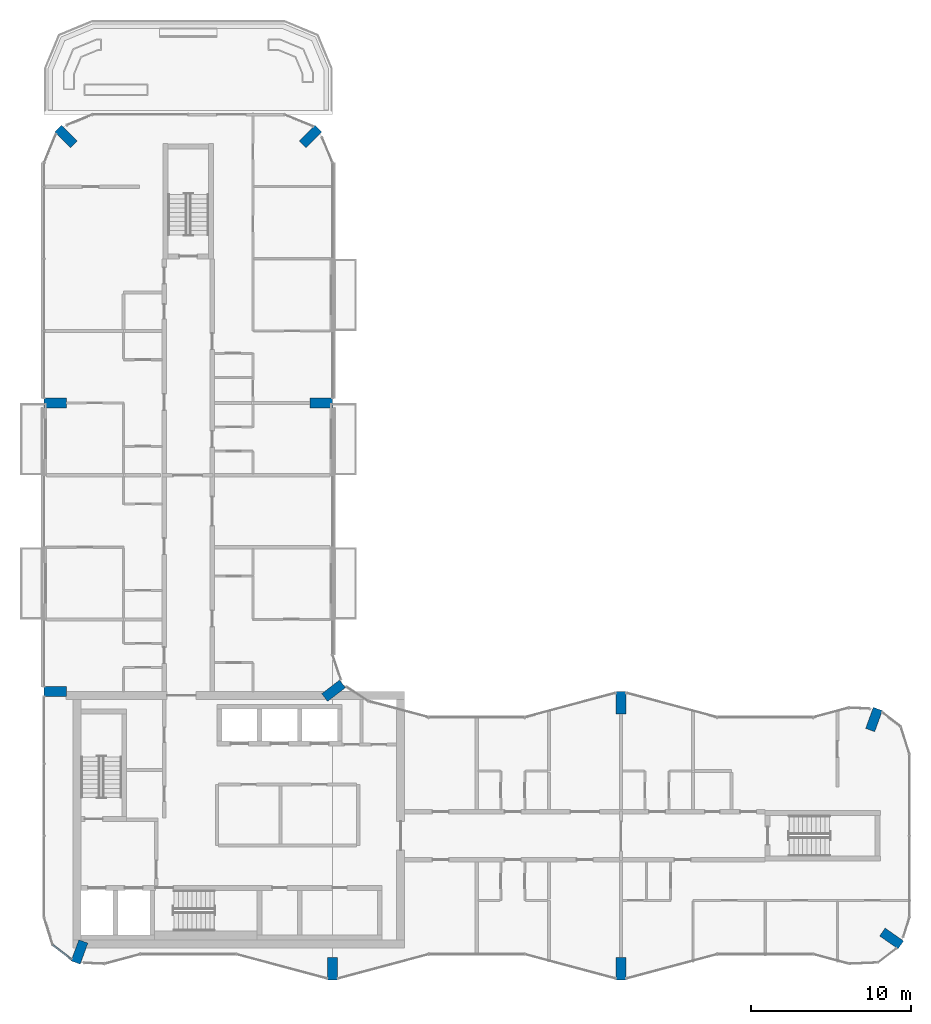
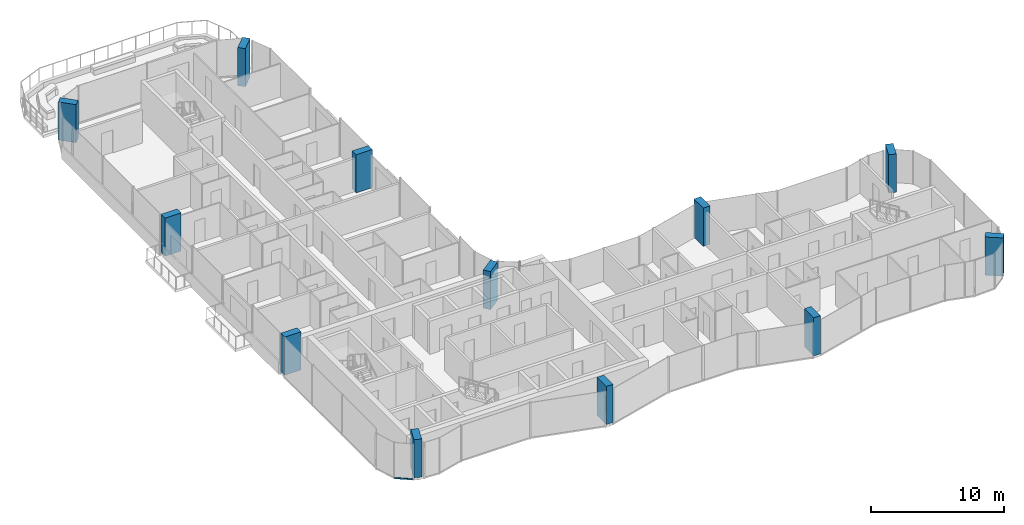
# One storey, part 1 of 17: 12 columns, 1 member, 1 element without a shape of its own.
"""IFC4 building model written with IfcOpenShell, lengths in metres."""

from ifc_helpers import new_model, si_unit, direction, frame, origin, origin_2d, place, context, subcontext, project, spatial, rectangle, extrude, material, layer, layer_set, material_profile, profile_set, type_object, element, aggregate, save


model = new_model("IFC4")

# Units and contexts
model_context = context("Model", 3, precision=1e-05, world=origin(), true_north=direction((0.0, 1.0)))
body_context = subcontext(model_context, "Body", "Model", "MODEL_VIEW")
ifc_project = project(units=[si_unit("LENGTHUNIT", "METRE"), si_unit("AREAUNIT", "SQUARE_METRE"), si_unit("VOLUMEUNIT", "CUBIC_METRE"), si_unit("PLANEANGLEUNIT", "RADIAN"), si_unit("MASSUNIT", "GRAM", prefix="KILO")], contexts=[model_context])

# Site, building, storey
site_placement = place(None, origin())
site = spatial("IfcSite", under=ifc_project, at=site_placement, CompositionType="ELEMENT")
building_placement = place(site_placement, origin())
building = spatial("IfcBuilding", under=site, at=building_placement, Name="Plateau Cross Towers", CompositionType="ELEMENT")
storey_placement = place(building_placement, frame((0.0, 0.0, 225.89990234375)))
storey = spatial("IfcBuildingStorey", under=building, at=storey_placement, Name="L59", CompositionType="ELEMENT", Elevation=225.89990234375)

# Columns
ifc_material_1 = material(Name="Concrete C60/75", Category="concrete")
ifc_material_profile_1 = material_profile(ifc_material_1, rectangle(XDim=0.60009765625, YDim=1.39990234375, at=origin_2d()), Name="RC 600x1400")
ifc_profile_set_1 = profile_set([ifc_material_profile_1], Name="Concrete C60/75")
column_type = type_object("IfcColumnType", Name="Fin pier column RC 600x1400", PredefinedType="COLUMN", material=ifc_profile_set_1)
for number, where, z_axis, x_axis, name in (
    (1, (18.0, 0.699951171875, 0.0), (0.0, 0.0, 1.0), (1.0, 0.0, 0.0), "PR1 L59"),
    (2, (36.0, 0.699951171875, 0.0), (0.0, 0.0, 1.0), (1.0, 0.0, 0.0), "PR2 L59"),
    (3, (52.884033203125, 2.590087890625, 0.0), (0.0, 0.0, 1.0), (0.573542637991, 0.819175709117, 0.0), "PR3 L59"),
    (4, (51.786865234375, 16.251953125, 0.0), (0.0, 0.0, 1.0), (-0.939664280925, 0.342097996418, 0.0), "PR4 L59"),
    (5, (36.0, 17.300048828125, 0.0), (0.0, 0.0, 1.0), (1.0, 0.0, 0.0), "PR5 L59"),
    (6, (18.064697265625, 18.049560546875, 0.0), (0.0, 0.0, 1.0), (-0.608810846443, 0.793315418515, 0.0), "PR6 L59"),
    (7, (17.300048828125, 36.0, 0.0), (0.0, 0.0, 1.0), (0.0, 1.0, 0.0), "PR7 L59"),
    (8, (16.62646484375, 52.62646484375, 0.0), (0.0, 0.0, 1.0), (-0.707106781187, 0.707106781187, 0.0), "PR8 L59"),
    (9, (1.37353515625, 52.62646484375, 0.0), (0.0, 0.0, 1.0), (0.707106781187, 0.707106781187, 0.0), "PR9 L59"),
    (10, (0.699951171875, 36.0, 0.0), (0.0, 0.0, 1.0), (0.0, 1.0, 0.0), "PR10 L59"),
    (11, (0.699951171875, 18.0, 0.0), (0.0, 0.0, 1.0), (0.0, 1.0, 0.0), "PR11 L59"),
    (12, (2.213134765625, 1.748046875, 0.0), (0.0, 0.0, 1.0), (-0.939664280925, 0.342097996418, 0.0), "PR12 L59"),
):
    element("IfcColumn", number, at=place(storey_placement, frame(where, z_axis=z_axis, x_axis=x_axis)), inside=storey, type_object=column_type, Name=name, PredefinedType="COLUMN", context=body_context, shape_type="SweptSolid", body=[
        extrude(rectangle(XDim=0.60009765625, YDim=1.39990234375, at=origin_2d()), origin(), (0.0, 0.0, 1.0), 3.5),
    ])

# Curtain wall, member
ifc_material_2 = material(Name="Dark low-iron glass", Category="glass")
ifc_layer = layer(ifc_material_2, 0.239990234375)
ifc_layer_set = layer_set([ifc_layer], Name="Dark low-iron glass")
curtain_wall_type = type_object("IfcCurtainWallType", Name="Curtain wall flush unitised CW-B", PredefinedType="NOTDEFINED", material=ifc_layer_set)
curtain_wall_placement = place(storey_placement, origin())
curtain_wall = element("IfcCurtainWall", 13, at=curtain_wall_placement, inside=storey, type_object=curtain_wall_type, Name="ENV/A/L59/A5_22", PredefinedType="NOTDEFINED")
ifc_material_3 = material(Name="Black anodised aluminium", Category="aluminium")
ifc_material_profile_2 = material_profile(ifc_material_3, rectangle(XDim=0.10009765625, YDim=0.1201171875, at=origin_2d()), Name="TRANSOM 100x120")
ifc_profile_set_2 = profile_set([ifc_material_profile_2], Name="Black anodised aluminium")
member_type = type_object("IfcMemberType", Name="Transom 100x120 flush unitised", PredefinedType="USERDEFINED", material=ifc_profile_set_2)
member_placement = place(storey_placement, frame((0.54248046875, 2.1884765625, -0.18994140625), z_axis=(0.793320508571, -0.608804213751, 0.0), x_axis=(0.608804213751, 0.793320508571, 0.0)))
member = element("IfcMember", 14, at=member_placement, type_object=member_type, Name="CW-B transom", ObjectType="TRANSOM", PredefinedType="USERDEFINED", context=body_context, shape_type="SweptSolid", body=[
    extrude(rectangle(XDim=0.10009765625, YDim=0.1201171875, at=origin_2d()), origin(), (0.0, 0.0, 1.0), 1.471435546875),
])
aggregate(curtain_wall, [member])

save(model, "model.ifc")
